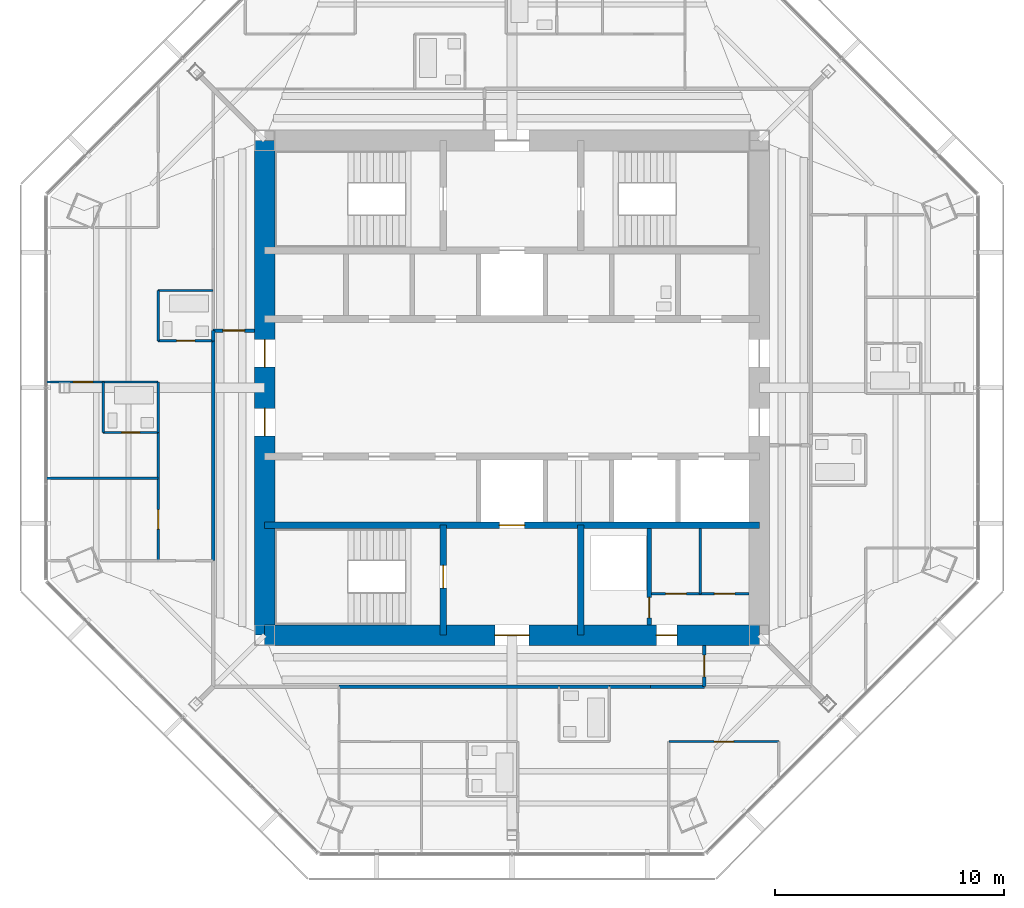
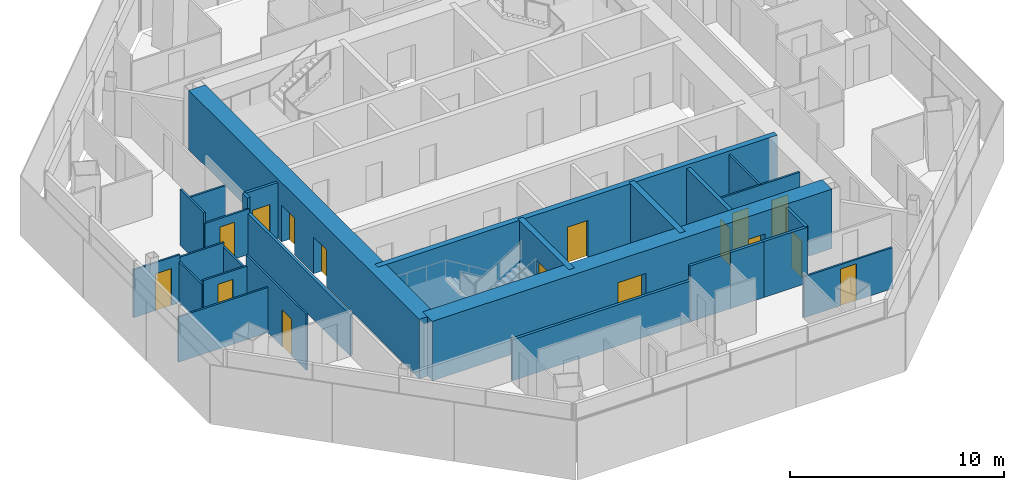
# One storey, part 10 of 15: 27 walls, 16 doors, 16 openings.
"""IFC4 building model written with IfcOpenShell, lengths in metres."""

from ifc_helpers import new_model, si_unit, direction, frame, frame_2d, origin, place, context, subcontext, project, spatial, rectangle, extrude, material, layer, layer_set, type_object, element, fill, save


model = new_model("IFC4")

# Units and contexts
model_context = context("Model", 3, precision=1e-05, world=origin(), true_north=direction((0.0, 1.0)))
body_context = subcontext(model_context, "Body", "Model", "MODEL_VIEW")
ifc_project = project(units=[si_unit("LENGTHUNIT", "METRE"), si_unit("AREAUNIT", "SQUARE_METRE"), si_unit("VOLUMEUNIT", "CUBIC_METRE"), si_unit("PLANEANGLEUNIT", "RADIAN"), si_unit("MASSUNIT", "GRAM", prefix="KILO")], contexts=[model_context])

# Site, building, storey
site_placement = place(None, origin())
site = spatial("IfcSite", under=ifc_project, at=site_placement, CompositionType="ELEMENT")
building_placement = place(site_placement, origin())
building = spatial("IfcBuilding", under=site, at=building_placement, Name="Mashrafa Tower", CompositionType="ELEMENT")
storey_placement = place(building_placement, frame((0.0, 0.0, 270.800048828125)))
storey = spatial("IfcBuildingStorey", under=building, at=storey_placement, Name="L65", CompositionType="ELEMENT", Elevation=270.800048828125)

# Wall, opening, door
ifc_material_1 = material(Name="Concrete masonry unit", Category="masonry")
ifc_layer_1 = layer(ifc_material_1, 0.199951171875)
ifc_layer_set_1 = layer_set([ifc_layer_1], Name="Blockwork wall 200 2 hr")
wall_type_1 = type_object("IfcWallType", Name="Blockwork wall 200 2 hr", PredefinedType="PARTITIONING", material=ifc_layer_set_1)
wall_1_placement = place(storey_placement, frame((6.0, -10.35009765625, 0.0), z_axis=(0.0, 0.0, 1.0), x_axis=(0.0, 1.0, 0.0)))
wall_1 = element("IfcWall", 1, at=wall_1_placement, inside=storey, type_object=wall_type_1, Name="Riser enclosure wall L65", PredefinedType="PARTITIONING", context=body_context, shape_type="SweptSolid", body=[
    extrude(rectangle(XDim=4.2001953125, YDim=0.199951171875, at=frame_2d((2.10009765625, 0.0))), origin(), (0.0, 0.0, 1.0), 3.199951171875),
])
opening_1_placement = place(wall_1_placement, frame((0.300048828125, 0.0, 0.0)))
opening_1 = element("IfcOpeningElement", 2, at=opening_1_placement, cuts=wall_1, Name="Opening 65.043", PredefinedType="OPENING", context=body_context, shape_type="SweptSolid", body=[
    extrude(rectangle(XDim=0.89990234375, YDim=2.10009765625, at=frame_2d((0.449951171875, 1.050048828125))), frame((0.0, 0.10986328125, 0.0), z_axis=(0.0, -1.0, 0.0), x_axis=(1.0, 0.0, 0.0)), (0.0, 0.0, 1.0), 0.219970703125),
])
ifc_material_2 = material(Name="Steel door", Category="steel")
door_type_1 = type_object("IfcDoorType", Name="Service door 900 x 2100 90 min", OperationType="USERDEFINED", PredefinedType="DOOR", material=ifc_material_2)
door_1_placement = place(opening_1_placement, origin())
door_1 = element("IfcDoor", 3, at=door_1_placement, inside=storey, type_object=door_type_1, Name="Riser door L65", OperationType="SINGLE_SWING_LEFT", OverallHeight=2.10009765625, OverallWidth=0.89990234375, PredefinedType="DOOR", context=body_context, shape_type="SweptSolid", body=[
    extrude(rectangle(XDim=0.89990234375, YDim=2.10009765625, at=frame_2d((0.449951171875, 1.050048828125))), frame((0.0, 0.02490234375, 0.0), z_axis=(0.0, -1.0, 0.0), x_axis=(1.0, 0.0, 0.0)), (0.0, 0.0, 1.0), 0.050048828125),
])
fill(opening_1, door_1)

ifc_material_3 = material(Name="Concrete C50/60", Category="concrete")
ifc_layer_2 = layer(ifc_material_3, 0.300048828125)
ifc_layer_set_2 = layer_set([ifc_layer_2], Name="Core wall 300 C50/60")
wall_type_2 = type_object("IfcWallType", Name="Core wall 300 C50/60", PredefinedType="SOLIDWALL", material=ifc_layer_set_2)
wall_2_placement = place(storey_placement, frame((-10.800048828125, -6.0, 0.0), z_axis=(0.0, 0.0, 1.0), x_axis=(1.0, 0.0, 0.0)))
wall_2 = element("IfcWall", 4, at=wall_2_placement, inside=storey, type_object=wall_type_2, Name="Core wall CB-S L65", PredefinedType="SOLIDWALL", context=body_context, shape_type="SweptSolid", body=[
    extrude(rectangle(XDim=21.60009765625, YDim=0.300048828125, at=frame_2d((10.800048828125, 0.0))), origin(), (0.0, 0.0, 1.0), 3.39990234375),
])
opening_2_placement = place(wall_2_placement, frame((10.25, 0.0, 0.0)))
opening_2 = element("IfcOpeningElement", 5, at=opening_2_placement, cuts=wall_2, Name="Opening 65.F2", PredefinedType="OPENING", context=body_context, shape_type="SweptSolid", body=[
    extrude(rectangle(XDim=1.10009765625, YDim=2.10009765625, at=frame_2d((0.550048828125, 1.050048828125))), frame((0.0, 0.159912109375, 0.0), z_axis=(0.0, -1.0, 0.0), x_axis=(1.0, 0.0, 0.0)), (0.0, 0.0, 1.0), 0.320068359375),
])
ifc_material_4 = material(Name="Steel door", Category="steel")
door_type_2 = type_object("IfcDoorType", Name="Lift landing door 1100 x 2100 90 min", OperationType="DOUBLE_DOOR_SLIDING", PredefinedType="DOOR", material=ifc_material_4)
door_2_placement = place(opening_2_placement, origin())
door_2 = element("IfcDoor", 6, at=door_2_placement, inside=storey, type_object=door_type_2, Name="Lift landing door F2 L65", OperationType="DOUBLE_DOOR_SLIDING", OverallHeight=2.10009765625, OverallWidth=1.10009765625, PredefinedType="DOOR", context=body_context, shape_type="SweptSolid", body=[
    extrude(rectangle(XDim=1.10009765625, YDim=2.10009765625, at=frame_2d((0.550048828125, 1.050048828125))), frame((0.0, 0.02490234375, 0.0), z_axis=(0.0, -1.0, 0.0), x_axis=(1.0, 0.0, 0.0)), (0.0, 0.0, 1.0), 0.050048828125),
])
fill(opening_2, door_2)

wall_3_placement = place(storey_placement, frame((-3.0, -6.0, 0.0), z_axis=(0.0, 0.0, 1.0), x_axis=(0.0, -1.0, 0.0)))
wall_3 = element("IfcWall", 7, at=wall_3_placement, inside=storey, type_object=wall_type_2, Name="Core wall CX-SW L65", PredefinedType="SOLIDWALL", context=body_context, shape_type="SweptSolid", body=[
    extrude(rectangle(XDim=4.800048828125, YDim=0.300048828125, at=frame_2d((2.39990234375, 0.0))), origin(), (0.0, 0.0, 1.0), 3.39990234375),
])
opening_3_placement = place(wall_3_placement, frame((1.75, 0.0, 0.0)))
opening_3 = element("IfcOpeningElement", 8, at=opening_3_placement, cuts=wall_3, Name="Opening 65.041", PredefinedType="OPENING", context=body_context, shape_type="SweptSolid", body=[
    extrude(rectangle(XDim=1.0, YDim=2.10009765625, at=frame_2d((0.5, 1.050048828125))), frame((0.0, 0.159912109375, 0.0), z_axis=(0.0, -1.0, 0.0), x_axis=(1.0, 0.0, 0.0)), (0.0, 0.0, 1.0), 0.320068359375),
])
ifc_material_5 = material(Name="Steel door", Category="steel")
door_type_3 = type_object("IfcDoorType", Name="Stair door 1000 x 2100 90 min", OperationType="USERDEFINED", PredefinedType="DOOR", material=ifc_material_5)
door_3_placement = place(opening_3_placement, frame((1.0, 0.0, 0.0), z_axis=(0.0, 0.0, 1.0), x_axis=(-1.0, 0.0, 0.0)))
door_3 = element("IfcDoor", 9, at=door_3_placement, inside=storey, type_object=door_type_3, Name="Stair S3 door L65", OperationType="SINGLE_SWING_RIGHT", OverallHeight=2.10009765625, OverallWidth=1.0, PredefinedType="DOOR", context=body_context, shape_type="SweptSolid", body=[
    extrude(rectangle(XDim=1.0, YDim=2.10009765625, at=frame_2d((0.5, 1.050048828125))), frame((0.0, 0.02490234375, 0.0), z_axis=(0.0, -1.0, 0.0), x_axis=(1.0, 0.0, 0.0)), (0.0, 0.0, 1.0), 0.050048828125),
])
fill(opening_3, door_3)

# Wall
wall_4_placement = place(storey_placement, frame((3.0, -6.0, 0.0), z_axis=(0.0, 0.0, 1.0), x_axis=(0.0, -1.0, 0.0)))
element("IfcWall", 10, at=wall_4_placement, inside=storey, type_object=wall_type_2, Name="Core wall CX-SE L65", PredefinedType="SOLIDWALL", context=body_context, shape_type="SweptSolid", body=[
    extrude(rectangle(XDim=4.800048828125, YDim=0.300048828125, at=frame_2d((2.39990234375, 0.0))), origin(), (0.0, 0.0, 1.0), 3.39990234375),
])

# Wall, openings, doors
ifc_material_6 = material(Name="Concrete C50/60", Category="concrete")
ifc_layer_3 = layer(ifc_material_6, 0.89990234375)
ifc_layer_set_3 = layer_set([ifc_layer_3], Name="Core wall 900 C50/60")
wall_type_3 = type_object("IfcWallType", Name="Core wall 900 C50/60", PredefinedType="SOLIDWALL", material=ifc_layer_set_3)
wall_5_placement = place(storey_placement, frame((-10.800048828125, -10.800048828125, 0.0), z_axis=(0.0, 0.0, 1.0), x_axis=(1.0, 0.0, 0.0)))
wall_5 = element("IfcWall", 11, at=wall_5_placement, inside=storey, type_object=wall_type_3, Name="Core wall CW-S L65", PredefinedType="SOLIDWALL", context=body_context, shape_type="SweptSolid", body=[
    extrude(rectangle(XDim=21.60009765625, YDim=0.89990234375, at=frame_2d((10.800048828125, 0.0))), origin(), (0.0, 0.0, 1.0), 3.39990234375),
])
opening_4_placement = place(wall_5_placement, frame((10.050048828125, 0.0, 0.0)))
opening_4 = element("IfcOpeningElement", 12, at=opening_4_placement, cuts=wall_5, Name="Opening 65.038", PredefinedType="OPENING", context=body_context, shape_type="SweptSolid", body=[
    extrude(rectangle(XDim=1.5, YDim=2.10009765625, at=frame_2d((0.75, 1.050048828125))), frame((0.0, 0.4599609375, 0.0), z_axis=(0.0, -1.0, 0.0), x_axis=(1.0, 0.0, 0.0)), (0.0, 0.0, 1.0), 0.919921875),
])
opening_5_placement = place(wall_5_placement, frame((17.10009765625, 0.0, 0.0)))
opening_5 = element("IfcOpeningElement", 13, at=opening_5_placement, cuts=wall_5, Name="Opening 65.042", PredefinedType="OPENING", context=body_context, shape_type="SweptSolid", body=[
    extrude(rectangle(XDim=0.89990234375, YDim=2.10009765625, at=frame_2d((0.449951171875, 1.050048828125))), frame((0.0, 0.4599609375, 0.0), z_axis=(0.0, -1.0, 0.0), x_axis=(1.0, 0.0, 0.0)), (0.0, 0.0, 1.0), 0.919921875),
])
ifc_material_7 = material(Name="Steel door", Category="steel")
door_type_4 = type_object("IfcDoorType", Name="Lobby door pair 1500 x 2100 90 min", OperationType="DOUBLE_DOOR_SINGLE_SWING", PredefinedType="DOOR", material=ifc_material_7)
door_4_placement = place(opening_4_placement, origin())
door_4 = element("IfcDoor", 14, at=door_4_placement, inside=storey, type_object=door_type_4, Name="Fire-fighting lobby F2 door L65", OperationType="DOUBLE_DOOR_SINGLE_SWING", OverallHeight=2.10009765625, OverallWidth=1.5, PredefinedType="DOOR", context=body_context, shape_type="SweptSolid", body=[
    extrude(rectangle(XDim=1.5, YDim=2.10009765625, at=frame_2d((0.75, 1.050048828125))), frame((0.0, 0.02490234375, 0.0), z_axis=(0.0, -1.0, 0.0), x_axis=(1.0, 0.0, 0.0)), (0.0, 0.0, 1.0), 0.050048828125),
])
fill(opening_4, door_4)
door_5_placement = place(opening_5_placement, frame((0.89990234375, 0.0, 0.0), z_axis=(0.0, 0.0, 1.0), x_axis=(-1.0, 0.0, 0.0)))
door_5 = element("IfcDoor", 15, at=door_5_placement, inside=storey, type_object=door_type_1, Name="Services Lobby L65 door", OperationType="SINGLE_SWING_LEFT", OverallHeight=2.10009765625, OverallWidth=0.89990234375, PredefinedType="DOOR", context=body_context, shape_type="SweptSolid", body=[
    extrude(rectangle(XDim=0.89990234375, YDim=2.10009765625, at=frame_2d((0.449951171875, 1.050048828125))), frame((0.0, 0.02490234375, 0.0), z_axis=(0.0, -1.0, 0.0), x_axis=(1.0, 0.0, 0.0)), (0.0, 0.0, 1.0), 0.050048828125),
])
fill(opening_5, door_5)

wall_6_placement = place(storey_placement, frame((-10.800048828125, 10.800048828125, 0.0), z_axis=(0.0, 0.0, 1.0), x_axis=(0.0, -1.0, 0.0)))
wall_6 = element("IfcWall", 16, at=wall_6_placement, inside=storey, type_object=wall_type_3, Name="Core wall CW-W L65", PredefinedType="SOLIDWALL", context=body_context, shape_type="SweptSolid", body=[
    extrude(rectangle(XDim=21.60009765625, YDim=0.89990234375, at=frame_2d((10.800048828125, 0.0))), origin(), (0.0, 0.0, 1.0), 3.39990234375),
])
opening_6_placement = place(wall_6_placement, frame((8.699951171875, 0.0, 0.0)))
opening_6 = element("IfcOpeningElement", 17, at=opening_6_placement, cuts=wall_6, Name="Opening 65.034", PredefinedType="OPENING", context=body_context, shape_type="SweptSolid", body=[
    extrude(rectangle(XDim=1.199951171875, YDim=2.10009765625, at=frame_2d((0.60009765625, 1.050048828125))), frame((0.0, 0.4599609375, 0.0), z_axis=(0.0, -1.0, 0.0), x_axis=(1.0, 0.0, 0.0)), (0.0, 0.0, 1.0), 0.919921875),
])
opening_7_placement = place(wall_6_placement, frame((11.699951171875, 0.0, 0.0)))
opening_7 = element("IfcOpeningElement", 18, at=opening_7_placement, cuts=wall_6, Name="Opening 65.036", PredefinedType="OPENING", context=body_context, shape_type="SweptSolid", body=[
    extrude(rectangle(XDim=1.199951171875, YDim=2.10009765625, at=frame_2d((0.60009765625, 1.050048828125))), frame((0.0, 0.4599609375, 0.0), z_axis=(0.0, -1.0, 0.0), x_axis=(1.0, 0.0, 0.0)), (0.0, 0.0, 1.0), 0.919921875),
])
ifc_material_8 = material(Name="Steel door", Category="steel")
door_type_5 = type_object("IfcDoorType", Name="Lift hall door 1200 x 2100 90 min", OperationType="USERDEFINED", PredefinedType="DOOR", material=ifc_material_8)
door_6_placement = place(opening_6_placement, origin())
door_6 = element("IfcDoor", 19, at=door_6_placement, inside=storey, type_object=door_type_5, Name="Lift hall door west L65", OperationType="SINGLE_SWING_LEFT", OverallHeight=2.10009765625, OverallWidth=1.199951171875, PredefinedType="DOOR", context=body_context, shape_type="SweptSolid", body=[
    extrude(rectangle(XDim=1.199951171875, YDim=2.10009765625, at=frame_2d((0.60009765625, 1.050048828125))), frame((0.0, 0.02490234375, 0.0), z_axis=(0.0, -1.0, 0.0), x_axis=(1.0, 0.0, 0.0)), (0.0, 0.0, 1.0), 0.050048828125),
])
fill(opening_6, door_6)
door_7_placement = place(opening_7_placement, frame((1.199951171875, 0.0, 0.0), z_axis=(0.0, 0.0, 1.0), x_axis=(-1.0, 0.0, 0.0)))
door_7 = element("IfcDoor", 20, at=door_7_placement, inside=storey, type_object=door_type_5, Name="Lift hall door west L65", OperationType="SINGLE_SWING_RIGHT", OverallHeight=2.10009765625, OverallWidth=1.199951171875, PredefinedType="DOOR", context=body_context, shape_type="SweptSolid", body=[
    extrude(rectangle(XDim=1.199951171875, YDim=2.10009765625, at=frame_2d((0.60009765625, 1.050048828125))), frame((0.0, 0.02490234375, 0.0), z_axis=(0.0, -1.0, 0.0), x_axis=(1.0, 0.0, 0.0)), (0.0, 0.0, 1.0), 0.050048828125),
])
fill(opening_7, door_7)

# Walls
ifc_material_9 = material(Name="Gypsum board on steel studs", Category="steel")
ifc_layer_4 = layer(ifc_material_9, 0.14990234375)
ifc_layer_set_4 = layer_set([ifc_layer_4], Name="Corridor partition 150 1 hr")
wall_type_4 = type_object("IfcWallType", Name="Corridor partition 150 1 hr", PredefinedType="PARTITIONING", material=ifc_layer_set_4)
wall_7_placement = place(storey_placement, frame((-13.050048828125, 2.5, 0.0), z_axis=(0.0, 0.0, 1.0), x_axis=(0.0, -1.0, 0.0)))
element("IfcWall", 21, at=wall_7_placement, inside=storey, type_object=wall_type_4, Name="Corridor wall L65-008", PredefinedType="PARTITIONING", context=body_context, shape_type="SweptSolid", body=[
    extrude(rectangle(XDim=0.450927734375, YDim=0.14990234375, at=frame_2d((0.2255859375, 0.0))), origin(), (0.0, 0.0, 1.0), 3.199951171875),
])
wall_8_placement = place(storey_placement, frame((-13.050048828125, 2.051025390625, 0.0), z_axis=(0.0, 0.0, 1.0), x_axis=(0.0, -1.0, 0.0)))
element("IfcWall", 22, at=wall_8_placement, inside=storey, type_object=wall_type_4, Name="Corridor wall L65-010", PredefinedType="PARTITIONING", context=body_context, shape_type="SweptSolid", body=[
    extrude(rectangle(XDim=9.60205078125, YDim=0.14990234375, at=frame_2d((4.801025390625, 0.0))), origin(), (0.0, 0.0, 1.0), 2.34423828125),
])
wall_9_placement = place(storey_placement, frame((4.2490234375, -13.050048828125, 0.0), z_axis=(0.0, 0.0, 1.0), x_axis=(1.0, 0.0, 0.0)))
element("IfcWall", 23, at=wall_9_placement, inside=storey, type_object=wall_type_4, Name="Corridor wall L65-011", PredefinedType="PARTITIONING", context=body_context, shape_type="SweptSolid", body=[
    extrude(rectangle(XDim=1.802001953125, YDim=0.14990234375, at=frame_2d((0.90087890625, 0.0))), origin(), (0.0, 0.0, 1.0), 3.199951171875),
])
wall_10_placement = place(storey_placement, frame((2.049072265625, -13.050048828125, 0.0), z_axis=(0.0, 0.0, 1.0), x_axis=(1.0, 0.0, 0.0)))
element("IfcWall", 24, at=wall_10_placement, inside=storey, type_object=wall_type_4, Name="Corridor wall L65-012", PredefinedType="PARTITIONING", context=body_context, shape_type="SweptSolid", body=[
    extrude(rectangle(XDim=2.201904296875, YDim=0.14990234375, at=frame_2d((1.10107421875, 0.0))), origin(), (0.0, 0.0, 1.0), 3.199951171875),
])
wall_11_placement = place(storey_placement, frame((-7.551025390625, -13.050048828125, 0.0), z_axis=(0.0, 0.0, 1.0), x_axis=(1.0, 0.0, 0.0)))
element("IfcWall", 25, at=wall_11_placement, inside=storey, type_object=wall_type_4, Name="Corridor wall L65-014", PredefinedType="PARTITIONING", context=body_context, shape_type="SweptSolid", body=[
    extrude(rectangle(XDim=9.60205078125, YDim=0.14990234375, at=frame_2d((4.801025390625, 0.0))), origin(), (0.0, 0.0, 1.0), 2.34423828125),
])
wall_12_placement = place(storey_placement, frame((6.049072265625, -13.050048828125, 0.0), z_axis=(0.0, 0.0, 1.0), x_axis=(1.0, 0.0, 0.0)))
element("IfcWall", 26, at=wall_12_placement, inside=storey, type_object=wall_type_4, Name="Corridor wall L65-015", PredefinedType="PARTITIONING", context=body_context, shape_type="SweptSolid", body=[
    extrude(rectangle(XDim=2.350830078125, YDim=0.14990234375, at=frame_2d((1.17529296875, 0.0))), origin(), (0.0, 0.0, 1.0), 3.199951171875),
])

# Wall, opening, door
wall_13_placement = place(storey_placement, frame((8.39990234375, -13.050048828125, 0.0), z_axis=(0.0, 0.0, 1.0), x_axis=(0.0, 1.0, 0.0)))
wall_13 = element("IfcWall", 27, at=wall_13_placement, inside=storey, type_object=wall_type_4, Name="Corridor wall L65-016", PredefinedType="PARTITIONING", context=body_context, shape_type="SweptSolid", body=[
    extrude(rectangle(XDim=1.800048828125, YDim=0.14990234375, at=frame_2d((0.89990234375, 0.0))), origin(), (0.0, 0.0, 1.0), 3.199951171875),
])
opening_8_placement = place(wall_13_placement, frame((0.425048828125, 0.0, 0.0)))
opening_8 = element("IfcOpeningElement", 28, at=opening_8_placement, cuts=wall_13, Name="Opening 65.030", PredefinedType="OPENING", context=body_context, shape_type="SweptSolid", body=[
    extrude(rectangle(XDim=0.949951171875, YDim=2.10009765625, at=frame_2d((0.47509765625, 1.050048828125))), frame((0.0, 0.0849609375, 0.0), z_axis=(0.0, -1.0, 0.0), x_axis=(1.0, 0.0, 0.0)), (0.0, 0.0, 1.0), 0.169921875),
])
ifc_material_10 = material(Name="Steel door", Category="steel")
door_type_6 = type_object("IfcDoorType", Name="Residence entrance door 950 x 2100 20 min", OperationType="USERDEFINED", PredefinedType="DOOR", material=ifc_material_10)
door_8_placement = place(opening_8_placement, origin())
door_8 = element("IfcDoor", 29, at=door_8_placement, inside=storey, type_object=door_type_6, Name="Apartment 6504 Entrance Hall door", OperationType="SINGLE_SWING_LEFT", OverallHeight=2.10009765625, OverallWidth=0.949951171875, PredefinedType="DOOR", context=body_context, shape_type="SweptSolid", body=[
    extrude(rectangle(XDim=0.949951171875, YDim=2.10009765625, at=frame_2d((0.47509765625, 1.050048828125))), frame((0.0, 0.02490234375, 0.0), z_axis=(0.0, -1.0, 0.0), x_axis=(1.0, 0.0, 0.0)), (0.0, 0.0, 1.0), 0.050048828125),
])
fill(opening_8, door_8)

wall_14_placement = place(storey_placement, frame((-11.25, 2.5, 0.0), z_axis=(0.0, 0.0, 1.0), x_axis=(-1.0, 0.0, 0.0)))
wall_14 = element("IfcWall", 30, at=wall_14_placement, inside=storey, type_object=wall_type_4, Name="Corridor wall L65-017", PredefinedType="PARTITIONING", context=body_context, shape_type="SweptSolid", body=[
    extrude(rectangle(XDim=1.800048828125, YDim=0.14990234375, at=frame_2d((0.89990234375, 0.0))), origin(), (0.0, 0.0, 1.0), 3.199951171875),
])
opening_9_placement = place(wall_14_placement, frame((0.425048828125, 0.0, 0.0)))
opening_9 = element("IfcOpeningElement", 31, at=opening_9_placement, cuts=wall_14, Name="Opening 65.032", PredefinedType="OPENING", context=body_context, shape_type="SweptSolid", body=[
    extrude(rectangle(XDim=0.949951171875, YDim=2.10009765625, at=frame_2d((0.47509765625, 1.050048828125))), frame((0.0, 0.0849609375, 0.0), z_axis=(0.0, -1.0, 0.0), x_axis=(1.0, 0.0, 0.0)), (0.0, 0.0, 1.0), 0.169921875),
])
door_9_placement = place(opening_9_placement, origin())
door_9 = element("IfcDoor", 32, at=door_9_placement, inside=storey, type_object=door_type_6, Name="Apartment 6503 Entrance Hall door", OperationType="SINGLE_SWING_RIGHT", OverallHeight=2.10009765625, OverallWidth=0.949951171875, PredefinedType="DOOR", context=body_context, shape_type="SweptSolid", body=[
    extrude(rectangle(XDim=0.949951171875, YDim=2.10009765625, at=frame_2d((0.47509765625, 1.050048828125))), frame((0.0, 0.02490234375, 0.0), z_axis=(0.0, -1.0, 0.0), x_axis=(1.0, 0.0, 0.0)), (0.0, 0.0, 1.0), 0.050048828125),
])
fill(opening_9, door_9)

ifc_material_11 = material(Name="Gypsum board on steel studs", Category="steel")
ifc_layer_5 = layer(ifc_material_11, 0.10009765625)
ifc_layer_set_5 = layer_set([ifc_layer_5], Name="Partition 100")
wall_type_5 = type_object("IfcWallType", Name="Partition 100", PredefinedType="PARTITIONING", material=ifc_layer_set_5)
wall_15_placement = place(storey_placement, frame((11.64990234375, -15.449951171875, 0.0), z_axis=(0.0, 0.0, 1.0), x_axis=(-1.0, 0.0, 0.0)))
wall_15 = element("IfcWall", 33, at=wall_15_placement, inside=storey, type_object=wall_type_5, Name="Partition wall L65-028", PredefinedType="PARTITIONING", context=body_context, shape_type="SweptSolid", body=[
    extrude(rectangle(XDim=4.7998046875, YDim=0.10009765625, at=frame_2d((2.39990234375, 0.0))), origin(), (0.0, 0.0, 1.0), 2.349365234375),
])
opening_10_placement = place(wall_15_placement, frame((1.97509765625, 0.0, 0.0)))
opening_10 = element("IfcOpeningElement", 34, at=opening_10_placement, cuts=wall_15, Name="Opening 65.004", PredefinedType="OPENING", context=body_context, shape_type="SweptSolid", body=[
    extrude(rectangle(XDim=0.85009765625, YDim=2.10009765625, at=frame_2d((0.425048828125, 1.050048828125))), frame((0.0, 0.06005859375, 0.0), z_axis=(0.0, -1.0, 0.0), x_axis=(1.0, 0.0, 0.0)), (0.0, 0.0, 1.0), 0.1201171875),
])
ifc_material_12 = material(Name="Timber door", Category="wood")
door_type_7 = type_object("IfcDoorType", Name="Bedroom door 850 x 2100", OperationType="USERDEFINED", PredefinedType="DOOR", material=ifc_material_12)
door_10_placement = place(opening_10_placement, origin())
door_10 = element("IfcDoor", 35, at=door_10_placement, inside=storey, type_object=door_type_7, Name="Apartment 6504 Dining Room door", OperationType="SINGLE_SWING_LEFT", OverallHeight=2.10009765625, OverallWidth=0.85009765625, PredefinedType="DOOR", context=body_context, shape_type="SweptSolid", body=[
    extrude(rectangle(XDim=0.85009765625, YDim=2.10009765625, at=frame_2d((0.425048828125, 1.050048828125))), frame((0.0, 0.02490234375, 0.0), z_axis=(0.0, -1.0, 0.0), x_axis=(1.0, 0.0, 0.0)), (0.0, 0.0, 1.0), 0.050048828125),
])
fill(opening_10, door_10)

# Walls
wall_16_placement = place(storey_placement, frame((-15.449951171875, 4.25, 0.0), z_axis=(0.0, 0.0, 1.0), x_axis=(1.0, 0.0, 0.0)))
element("IfcWall", 36, at=wall_16_placement, inside=storey, type_object=wall_type_5, Name="Partition wall L65-068", PredefinedType="PARTITIONING", context=body_context, shape_type="SweptSolid", body=[
    extrude(rectangle(XDim=2.39990234375, YDim=0.10009765625, at=frame_2d((1.199951171875, 0.0))), origin(), (0.0, 0.0, 1.0), 2.590576171875),
])
wall_17_placement = place(storey_placement, frame((-15.449951171875, 4.25, 0.0), z_axis=(0.0, 0.0, 1.0), x_axis=(0.0, -1.0, 0.0)))
element("IfcWall", 37, at=wall_17_placement, inside=storey, type_object=wall_type_5, Name="Partition wall L65-070", PredefinedType="PARTITIONING", context=body_context, shape_type="SweptSolid", body=[
    extrude(rectangle(XDim=2.199951171875, YDim=0.10009765625, at=frame_2d((1.10009765625, 0.0))), origin(), (0.0, 0.0, 1.0), 3.199951171875),
])

# Wall, opening, door
wall_18_placement = place(storey_placement, frame((-15.449951171875, 2.050048828125, 0.0), z_axis=(0.0, 0.0, 1.0), x_axis=(1.0, 0.0, 0.0)))
wall_18 = element("IfcWall", 38, at=wall_18_placement, inside=storey, type_object=wall_type_5, Name="Partition wall L65-071", PredefinedType="PARTITIONING", context=body_context, shape_type="SweptSolid", body=[
    extrude(rectangle(XDim=2.39990234375, YDim=0.10009765625, at=frame_2d((1.199951171875, 0.0))), origin(), (0.0, 0.0, 1.0), 2.590576171875),
])
opening_11_placement = place(wall_18_placement, frame((0.800048828125, 0.0, 0.0)))
opening_11 = element("IfcOpeningElement", 39, at=opening_11_placement, cuts=wall_18, Name="Opening 65.017", PredefinedType="OPENING", context=body_context, shape_type="SweptSolid", body=[
    extrude(rectangle(XDim=0.800048828125, YDim=2.10009765625, at=frame_2d((0.39990234375, 1.050048828125))), frame((0.0, 0.06005859375, 0.0), z_axis=(0.0, -1.0, 0.0), x_axis=(1.0, 0.0, 0.0)), (0.0, 0.0, 1.0), 0.1201171875),
])
ifc_material_13 = material(Name="Timber door", Category="wood")
door_type_8 = type_object("IfcDoorType", Name="Bathroom door 800 x 2100", OperationType="USERDEFINED", PredefinedType="DOOR", material=ifc_material_13)
door_11_placement = place(opening_11_placement, origin())
door_11 = element("IfcDoor", 40, at=door_11_placement, inside=storey, type_object=door_type_8, Name="Apartment 6503 Bathroom door", OperationType="SINGLE_SWING_RIGHT", OverallHeight=2.10009765625, OverallWidth=0.800048828125, PredefinedType="DOOR", context=body_context, shape_type="SweptSolid", body=[
    extrude(rectangle(XDim=0.800048828125, YDim=2.10009765625, at=frame_2d((0.39990234375, 1.050048828125))), frame((0.0, 0.02490234375, 0.0), z_axis=(0.0, -1.0, 0.0), x_axis=(1.0, 0.0, 0.0)), (0.0, 0.0, 1.0), 0.050048828125),
])
fill(opening_11, door_11)

# Wall
wall_19_placement = place(storey_placement, frame((-17.85009765625, 0.25, 0.0), z_axis=(0.0, 0.0, 1.0), x_axis=(0.0, -1.0, 0.0)))
element("IfcWall", 41, at=wall_19_placement, inside=storey, type_object=wall_type_5, Name="Partition wall L65-073", PredefinedType="PARTITIONING", context=body_context, shape_type="SweptSolid", body=[
    extrude(rectangle(XDim=2.199951171875, YDim=0.10009765625, at=frame_2d((1.10009765625, 0.0))), origin(), (0.0, 0.0, 1.0), 2.34423828125),
])

# Wall, opening, door
wall_20_placement = place(storey_placement, frame((-17.85009765625, -1.949951171875, 0.0), z_axis=(0.0, 0.0, 1.0), x_axis=(1.0, 0.0, 0.0)))
wall_20 = element("IfcWall", 42, at=wall_20_placement, inside=storey, type_object=wall_type_5, Name="Partition wall L65-074", PredefinedType="PARTITIONING", context=body_context, shape_type="SweptSolid", body=[
    extrude(rectangle(XDim=2.400146484375, YDim=0.10009765625, at=frame_2d((1.2001953125, 0.0))), origin(), (0.0, 0.0, 1.0), 2.590576171875),
])
opening_12_placement = place(wall_20_placement, frame((0.800048828125, 0.0, 0.0)))
opening_12 = element("IfcOpeningElement", 43, at=opening_12_placement, cuts=wall_20, Name="Opening 65.018", PredefinedType="OPENING", context=body_context, shape_type="SweptSolid", body=[
    extrude(rectangle(XDim=0.800048828125, YDim=2.10009765625, at=frame_2d((0.39990234375, 1.050048828125))), frame((0.0, 0.06005859375, 0.0), z_axis=(0.0, -1.0, 0.0), x_axis=(1.0, 0.0, 0.0)), (0.0, 0.0, 1.0), 0.1201171875),
])
door_12_placement = place(opening_12_placement, origin())
door_12 = element("IfcDoor", 44, at=door_12_placement, inside=storey, type_object=door_type_8, Name="Apartment 6503 En-suite Bathroom door", OperationType="SINGLE_SWING_LEFT", OverallHeight=2.10009765625, OverallWidth=0.800048828125, PredefinedType="DOOR", context=body_context, shape_type="SweptSolid", body=[
    extrude(rectangle(XDim=0.800048828125, YDim=2.10009765625, at=frame_2d((0.39990234375, 1.050048828125))), frame((0.0, 0.02490234375, 0.0), z_axis=(0.0, -1.0, 0.0), x_axis=(1.0, 0.0, 0.0)), (0.0, 0.0, 1.0), 0.050048828125),
])
fill(opening_12, door_12)

# Walls
wall_21_placement = place(storey_placement, frame((-15.449951171875, -1.949951171875, 0.0), z_axis=(0.0, 0.0, 1.0), x_axis=(0.0, 1.0, 0.0)))
element("IfcWall", 45, at=wall_21_placement, inside=storey, type_object=wall_type_5, Name="Partition wall L65-075", PredefinedType="PARTITIONING", context=body_context, shape_type="SweptSolid", body=[
    extrude(rectangle(XDim=2.199951171875, YDim=0.10009765625, at=frame_2d((1.10009765625, 0.0))), origin(), (0.0, 0.0, 1.0), 2.34423828125),
])
wall_22_placement = place(storey_placement, frame((-15.449951171875, 0.25, 0.0), z_axis=(0.0, 0.0, 1.0), x_axis=(-1.0, 0.0, 0.0)))
element("IfcWall", 46, at=wall_22_placement, inside=storey, type_object=wall_type_5, Name="Partition wall L65-076", PredefinedType="PARTITIONING", context=body_context, shape_type="SweptSolid", body=[
    extrude(rectangle(XDim=2.400146484375, YDim=0.10009765625, at=frame_2d((1.2001953125, 0.0))), origin(), (0.0, 0.0, 1.0), 2.590576171875),
])
wall_23_placement = place(storey_placement, frame((-20.336181640625, -3.949951171875, 0.0), z_axis=(0.0, 0.0, 1.0), x_axis=(1.0, 0.0, 0.0)))
element("IfcWall", 47, at=wall_23_placement, inside=storey, type_object=wall_type_5, Name="Partition wall L65-077", PredefinedType="PARTITIONING", context=body_context, shape_type="SweptSolid", body=[
    extrude(rectangle(XDim=4.88623046875, YDim=0.10009765625, at=frame_2d((2.443115234375, 0.0))), origin(), (0.0, 0.0, 1.0), 2.590576171875),
])

# Wall, opening, door
wall_24_placement = place(storey_placement, frame((-17.85009765625, 0.25, 0.0), z_axis=(0.0, 0.0, 1.0), x_axis=(-1.0, 0.0, 0.0)))
wall_24 = element("IfcWall", 48, at=wall_24_placement, inside=storey, type_object=wall_type_5, Name="Partition wall L65-078", PredefinedType="PARTITIONING", context=body_context, shape_type="SweptSolid", body=[
    extrude(rectangle(XDim=2.488037109375, YDim=0.10009765625, at=frame_2d((1.244140625, 0.0))), origin(), (0.0, 0.0, 1.0), 2.740234375),
])
opening_13_placement = place(wall_24_placement, frame((0.4521484375, 0.0, 0.0)))
opening_13 = element("IfcOpeningElement", 49, at=opening_13_placement, cuts=wall_24, Name="Opening 65.019", PredefinedType="OPENING", context=body_context, shape_type="SweptSolid", body=[
    extrude(rectangle(XDim=0.85009765625, YDim=2.10009765625, at=frame_2d((0.425048828125, 1.050048828125))), frame((0.0, 0.06005859375, 0.0), z_axis=(0.0, -1.0, 0.0), x_axis=(1.0, 0.0, 0.0)), (0.0, 0.0, 1.0), 0.1201171875),
])
door_13_placement = place(opening_13_placement, origin())
door_13 = element("IfcDoor", 50, at=door_13_placement, inside=storey, type_object=door_type_7, Name="Apartment 6503 Bedroom 1 door", OperationType="SINGLE_SWING_LEFT", OverallHeight=2.10009765625, OverallWidth=0.85009765625, PredefinedType="DOOR", context=body_context, shape_type="SweptSolid", body=[
    extrude(rectangle(XDim=0.85009765625, YDim=2.10009765625, at=frame_2d((0.425048828125, 1.050048828125))), frame((0.0, 0.02490234375, 0.0), z_axis=(0.0, -1.0, 0.0), x_axis=(1.0, 0.0, 0.0)), (0.0, 0.0, 1.0), 0.050048828125),
])
fill(opening_13, door_13)

wall_25_placement = place(storey_placement, frame((-15.449951171875, -1.949951171875, 0.0), z_axis=(0.0, 0.0, 1.0), x_axis=(0.0, -1.0, 0.0)))
wall_25 = element("IfcWall", 51, at=wall_25_placement, inside=storey, type_object=wall_type_5, Name="Partition wall L65-079", PredefinedType="PARTITIONING", context=body_context, shape_type="SweptSolid", body=[
    extrude(rectangle(XDim=5.60009765625, YDim=0.10009765625, at=frame_2d((2.800048828125, 0.0))), origin(), (0.0, 0.0, 1.0), 3.199951171875),
])
opening_14_placement = place(wall_25_placement, frame((3.375, 0.0, 0.0)))
opening_14 = element("IfcOpeningElement", 52, at=opening_14_placement, cuts=wall_25, Name="Opening 65.020", PredefinedType="OPENING", context=body_context, shape_type="SweptSolid", body=[
    extrude(rectangle(XDim=0.85009765625, YDim=2.10009765625, at=frame_2d((0.425048828125, 1.050048828125))), frame((0.0, 0.06005859375, 0.0), z_axis=(0.0, -1.0, 0.0), x_axis=(1.0, 0.0, 0.0)), (0.0, 0.0, 1.0), 0.1201171875),
])
door_14_placement = place(opening_14_placement, frame((0.85009765625, 0.0, 0.0), z_axis=(0.0, 0.0, 1.0), x_axis=(-1.0, 0.0, 0.0)))
door_14 = element("IfcDoor", 53, at=door_14_placement, inside=storey, type_object=door_type_7, Name="Apartment 6503 Bedroom 2 door", OperationType="SINGLE_SWING_RIGHT", OverallHeight=2.10009765625, OverallWidth=0.85009765625, PredefinedType="DOOR", context=body_context, shape_type="SweptSolid", body=[
    extrude(rectangle(XDim=0.85009765625, YDim=2.10009765625, at=frame_2d((0.425048828125, 1.050048828125))), frame((0.0, 0.02490234375, 0.0), z_axis=(0.0, -1.0, 0.0), x_axis=(1.0, 0.0, 0.0)), (0.0, 0.0, 1.0), 0.050048828125),
])
fill(opening_14, door_14)

# Wall, openings, doors
ifc_material_14 = material(Name="Gypsum board on steel studs", Category="steel")
ifc_layer_6 = layer(ifc_material_14, 0.10009765625)
ifc_layer_set_6 = layer_set([ifc_layer_6], Name="Partition 100 1 hr")
wall_type_6 = type_object("IfcWallType", Name="Partition 100 1 hr", PredefinedType="PARTITIONING", material=ifc_layer_set_6)
wall_26_placement = place(storey_placement, frame((6.10009765625, -9.0, 0.0), z_axis=(0.0, 0.0, 1.0), x_axis=(1.0, 0.0, 0.0)))
wall_26 = element("IfcWall", 54, at=wall_26_placement, inside=storey, type_object=wall_type_6, Name="Services lobby partition A L65", PredefinedType="PARTITIONING", context=body_context, shape_type="SweptSolid", body=[
    extrude(rectangle(XDim=4.25, YDim=0.10009765625, at=frame_2d((2.125, 0.0))), origin(), (0.0, 0.0, 1.0), 3.199951171875),
])
opening_15_placement = place(wall_26_placement, frame((0.612548828125, 0.0, 0.0)))
opening_15 = element("IfcOpeningElement", 55, at=opening_15_placement, cuts=wall_26, Name="Opening 65.044", PredefinedType="OPENING", context=body_context, shape_type="SweptSolid", body=[
    extrude(rectangle(XDim=0.89990234375, YDim=2.10009765625, at=frame_2d((0.449951171875, 1.050048828125))), frame((0.0, 0.06005859375, 0.0), z_axis=(0.0, -1.0, 0.0), x_axis=(1.0, 0.0, 0.0)), (0.0, 0.0, 1.0), 0.1201171875),
])
opening_16_placement = place(wall_26_placement, frame((2.737548828125, 0.0, 0.0)))
opening_16 = element("IfcOpeningElement", 56, at=opening_16_placement, cuts=wall_26, Name="Opening 65.045", PredefinedType="OPENING", context=body_context, shape_type="SweptSolid", body=[
    extrude(rectangle(XDim=0.89990234375, YDim=2.10009765625, at=frame_2d((0.449951171875, 1.050048828125))), frame((0.0, 0.06005859375, 0.0), z_axis=(0.0, -1.0, 0.0), x_axis=(1.0, 0.0, 0.0)), (0.0, 0.0, 1.0), 0.1201171875),
])
ifc_material_15 = material(Name="Timber door", Category="wood")
door_type_9 = type_object("IfcDoorType", Name="Store door 900 x 2100", OperationType="USERDEFINED", PredefinedType="DOOR", material=ifc_material_15)
door_15_placement = place(opening_15_placement, origin())
door_15 = element("IfcDoor", 57, at=door_15_placement, inside=storey, type_object=door_type_9, Name="Cleaner's Store L65 door", OperationType="SINGLE_SWING_RIGHT", OverallHeight=2.10009765625, OverallWidth=0.89990234375, PredefinedType="DOOR", context=body_context, shape_type="SweptSolid", body=[
    extrude(rectangle(XDim=0.89990234375, YDim=2.10009765625, at=frame_2d((0.449951171875, 1.050048828125))), frame((0.0, 0.02490234375, 0.0), z_axis=(0.0, -1.0, 0.0), x_axis=(1.0, 0.0, 0.0)), (0.0, 0.0, 1.0), 0.050048828125),
])
fill(opening_15, door_15)
door_16_placement = place(opening_16_placement, origin())
door_16 = element("IfcDoor", 58, at=door_16_placement, inside=storey, type_object=door_type_9, Name="Building Services Store L65 door", OperationType="SINGLE_SWING_LEFT", OverallHeight=2.10009765625, OverallWidth=0.89990234375, PredefinedType="DOOR", context=body_context, shape_type="SweptSolid", body=[
    extrude(rectangle(XDim=0.89990234375, YDim=2.10009765625, at=frame_2d((0.449951171875, 1.050048828125))), frame((0.0, 0.02490234375, 0.0), z_axis=(0.0, -1.0, 0.0), x_axis=(1.0, 0.0, 0.0)), (0.0, 0.0, 1.0), 0.050048828125),
])
fill(opening_16, door_16)

# Wall
wall_27_placement = place(storey_placement, frame((8.22509765625, -9.0, 0.0), z_axis=(0.0, 0.0, 1.0), x_axis=(0.0, 1.0, 0.0)))
element("IfcWall", 59, at=wall_27_placement, inside=storey, type_object=wall_type_6, Name="Services lobby partition B L65", PredefinedType="PARTITIONING", context=body_context, shape_type="SweptSolid", body=[
    extrude(rectangle(XDim=2.85009765625, YDim=0.10009765625, at=frame_2d((1.425048828125, 0.0))), origin(), (0.0, 0.0, 1.0), 3.199951171875),
])

save(model, "model.ifc")
